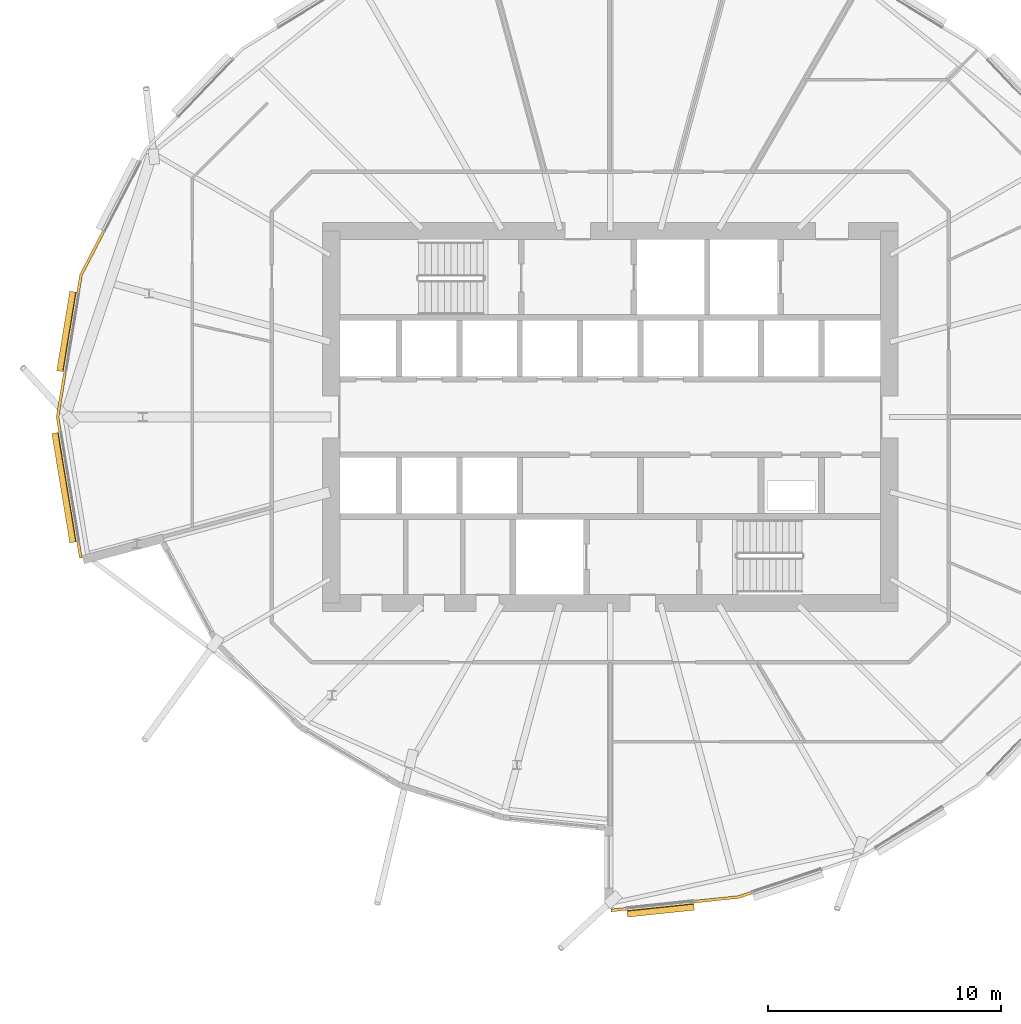
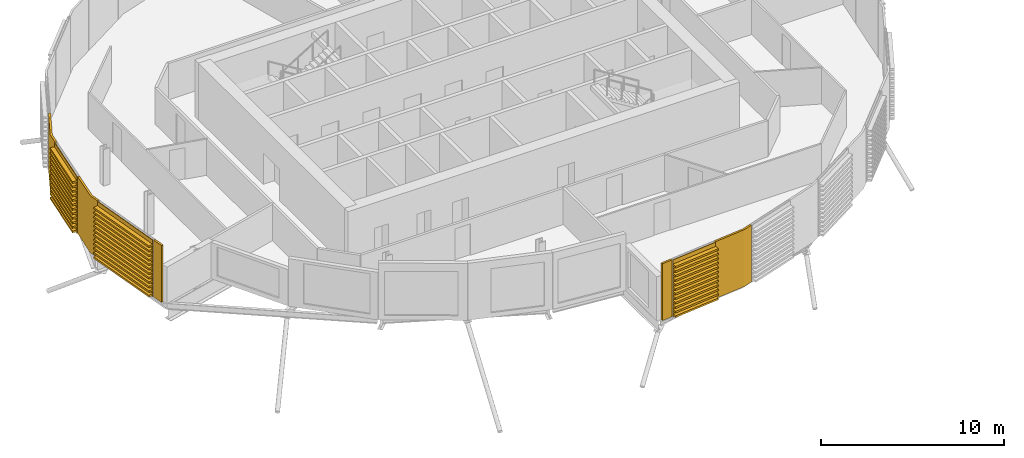
# One storey, part 36 of 42: 8 coverings.
"""IFC4 building model written with IfcOpenShell, lengths in metres."""

from ifc_helpers import new_model, si_unit, direction, frame, origin, place, context, subcontext, project, spatial, polyline, outline, extrude, material, layer, layer_set, material_profile, profile_set, type_object, element, save


model = new_model("IFC4")

# Units and contexts
model_context = context("Model", 3, precision=1e-05, world=origin(), true_north=direction((0.0, 1.0)))
body_context = subcontext(model_context, "Body", "Model", "MODEL_VIEW")
ifc_project = project(units=[si_unit("LENGTHUNIT", "METRE"), si_unit("AREAUNIT", "SQUARE_METRE"), si_unit("VOLUMEUNIT", "CUBIC_METRE"), si_unit("PLANEANGLEUNIT", "RADIAN"), si_unit("MASSUNIT", "GRAM", prefix="KILO")], contexts=[model_context])

# Site, building, storey
site_placement = place(None, origin())
site = spatial("IfcSite", under=ifc_project, at=site_placement, CompositionType="ELEMENT")
building_placement = place(site_placement, origin())
building = spatial("IfcBuilding", under=site, at=building_placement, Name="Rimbun Link Towers", CompositionType="ELEMENT")
storey_placement = place(building_placement, frame((0.0, 0.0, 85.39990234375)))
storey = spatial("IfcBuildingStorey", under=building, at=storey_placement, Name="L20", CompositionType="ELEMENT", Elevation=85.39990234375)

# Coverings
ifc_material_1 = material(Name="Terracotta", Category="masonry")
ifc_layer = layer(ifc_material_1, 0.1201171875)
ifc_layer_set = layer_set([ifc_layer], Name="LINK PIER terracotta cladding 120")
covering_type_1 = type_object("IfcCoveringType", Name="LINK PIER terracotta cladding 120", PredefinedType="CLADDING", material=ifc_layer_set)
covering_1_placement = place(storey_placement, origin())
element("IfcCovering", 1, at=covering_1_placement, inside=storey, type_object=covering_type_1, Name="LINK PIER cladding", PredefinedType="CLADDING", context=body_context, shape_type="SweptSolid", body=[
    extrude(outline(polyline([(-54.572265625, 5.37353515625), (-54.45556640625, 6.083984375), (-53.504150390625, 7.92236328125), (-53.61083984375, 7.9775390625), (-54.57080078125, 6.1220703125), (-54.690673828125, 5.392822265625), (-54.572265625, 5.37353515625)])), origin(), (0.0, 0.0, 1.0), 3.800048828125),
])
covering_2_placement = place(storey_placement, origin())
element("IfcCovering", 2, at=covering_2_placement, inside=storey, type_object=covering_type_1, Name="LINK PIER cladding", PredefinedType="CLADDING", context=body_context, shape_type="SweptSolid", body=[
    extrude(outline(polyline([(-54.46044921875, -6.05419921875), (-54.572265625, -5.37353515625), (-54.690673828125, -5.392822265625), (-54.578857421875, -6.07373046875), (-54.46044921875, -6.05419921875)])), origin(), (0.0, 0.0, 1.0), 3.800048828125),
])
covering_3_placement = place(storey_placement, origin())
element("IfcCovering", 3, at=covering_3_placement, inside=storey, type_object=covering_type_1, Name="LINK PIER cladding", PredefinedType="CLADDING", context=body_context, shape_type="SweptSolid", body=[
    extrude(outline(polyline([(-55.355224609375, -0.61181640625), (-55.455810546875, 0.0), (-55.144287109375, 1.89453125), (-55.2626953125, 1.9140625), (-55.577392578125, 0.0), (-55.4736328125, -0.63134765625), (-55.355224609375, -0.61181640625)])), origin(), (0.0, 0.0, 1.0), 3.800048828125),
])
covering_4_placement = place(storey_placement, origin())
element("IfcCovering", 4, at=covering_4_placement, inside=storey, type_object=covering_type_1, Name="LINK PIER cladding", PredefinedType="CLADDING", context=body_context, shape_type="SweptSolid", body=[
    extrude(outline(polyline([(-31.083740234375, -21.095947265625), (-31.72021484375, -21.162841796875), (-31.70751953125, -21.2822265625), (-31.071044921875, -21.215087890625), (-31.083740234375, -21.095947265625)])), origin(), (0.0, 0.0, 1.0), 3.800048828125),
])
covering_5_placement = place(storey_placement, origin())
element("IfcCovering", 5, at=covering_5_placement, inside=storey, type_object=covering_type_1, Name="LINK PIER cladding", PredefinedType="CLADDING", context=body_context, shape_type="SweptSolid", body=[
    extrude(outline(polyline([(-25.693115234375, -20.40576171875), (-26.234130859375, -20.585205078125), (-28.1435546875, -20.7861328125), (-28.131103515625, -20.905517578125), (-26.208740234375, -20.703125), (-25.6552734375, -20.519775390625), (-25.693115234375, -20.40576171875)])), origin(), (0.0, 0.0, 1.0), 3.800048828125),
])
ifc_material_2 = material(Name="Terracotta", Category="masonry")
ifc_material_profile = material_profile(ifc_material_2, outline(polyline([(0.123046875, 0.0), (0.1630859375, 0.0), (0.1630859375, 0.10009765625), (0.423095703125, 0.10009765625), (0.423095703125, 0.219970703125), (0.1630859375, 0.219970703125), (0.1630859375, 0.39990234375), (0.423095703125, 0.39990234375), (0.423095703125, 0.52001953125), (0.1630859375, 0.52001953125), (0.1630859375, 0.699951171875), (0.423095703125, 0.699951171875), (0.423095703125, 0.820068359375), (0.1630859375, 0.820068359375), (0.1630859375, 1.0), (0.423095703125, 1.0), (0.423095703125, 1.1201171875), (0.1630859375, 1.1201171875), (0.1630859375, 1.300048828125), (0.423095703125, 1.300048828125), (0.423095703125, 1.419921875), (0.1630859375, 1.419921875), (0.1630859375, 1.60009765625), (0.423095703125, 1.60009765625), (0.423095703125, 1.719970703125), (0.1630859375, 1.719970703125), (0.1630859375, 1.89990234375), (0.423095703125, 1.89990234375), (0.423095703125, 2.02001953125), (0.1630859375, 2.02001953125), (0.1630859375, 2.199951171875), (0.423095703125, 2.199951171875), (0.423095703125, 2.320068359375), (0.1630859375, 2.320068359375), (0.1630859375, 2.5), (0.423095703125, 2.5), (0.423095703125, 2.6201171875), (0.1630859375, 2.6201171875), (0.1630859375, 2.800048828125), (0.423095703125, 2.800048828125), (0.423095703125, 2.919921875), (0.1630859375, 2.919921875), (0.1630859375, 3.10009765625), (0.423095703125, 3.10009765625), (0.423095703125, 3.219970703125), (0.1630859375, 3.219970703125), (0.1630859375, 3.39990234375), (0.423095703125, 3.39990234375), (0.423095703125, 3.52001953125), (0.1630859375, 3.52001953125), (0.1630859375, 3.800048828125), (0.123046875, 3.800048828125), (0.123046875, 0.0)])), Name="BAGUETTE 120X300")
ifc_profile_set = profile_set([ifc_material_profile], Name="Terracotta")
covering_type_2 = type_object("IfcCoveringType", Name="TERRACOTTA BAGUETTE 120X300 H3800", PredefinedType="CLADDING", material=ifc_profile_set)
covering_6_placement = place(storey_placement, frame((-55.139404296875, 1.924072265625, 0.0), z_axis=(0.162239487498, 0.986751411804, 0.0), x_axis=(-0.986751411804, 0.162239487498, 0.0)))
element("IfcCovering", 6, at=covering_6_placement, inside=storey, type_object=covering_type_2, Name="TERRACOTTA BAGUETTE", PredefinedType="CLADDING", context=body_context, shape_type="SweptSolid", body=[
    extrude(outline(polyline([(0.123046875, 0.0), (0.1630859375, 0.0), (0.1630859375, 0.10009765625), (0.423095703125, 0.10009765625), (0.423095703125, 0.219970703125), (0.1630859375, 0.219970703125), (0.1630859375, 0.39990234375), (0.423095703125, 0.39990234375), (0.423095703125, 0.52001953125), (0.1630859375, 0.52001953125), (0.1630859375, 0.699951171875), (0.423095703125, 0.699951171875), (0.423095703125, 0.820068359375), (0.1630859375, 0.820068359375), (0.1630859375, 1.0), (0.423095703125, 1.0), (0.423095703125, 1.1201171875), (0.1630859375, 1.1201171875), (0.1630859375, 1.300048828125), (0.423095703125, 1.300048828125), (0.423095703125, 1.419921875), (0.1630859375, 1.419921875), (0.1630859375, 1.60009765625), (0.423095703125, 1.60009765625), (0.423095703125, 1.719970703125), (0.1630859375, 1.719970703125), (0.1630859375, 1.89990234375), (0.423095703125, 1.89990234375), (0.423095703125, 2.02001953125), (0.1630859375, 2.02001953125), (0.1630859375, 2.199951171875), (0.423095703125, 2.199951171875), (0.423095703125, 2.320068359375), (0.1630859375, 2.320068359375), (0.1630859375, 2.5), (0.423095703125, 2.5), (0.423095703125, 2.6201171875), (0.1630859375, 2.6201171875), (0.1630859375, 2.800048828125), (0.423095703125, 2.800048828125), (0.423095703125, 2.919921875), (0.1630859375, 2.919921875), (0.1630859375, 3.10009765625), (0.423095703125, 3.10009765625), (0.423095703125, 3.219970703125), (0.1630859375, 3.219970703125), (0.1630859375, 3.39990234375), (0.423095703125, 3.39990234375), (0.423095703125, 3.52001953125), (0.1630859375, 3.52001953125), (0.1630859375, 3.800048828125), (0.123046875, 3.800048828125), (0.123046875, 0.0)])), origin(), (0.0, 0.0, 1.0), 3.465576171875),
])
covering_7_placement = place(storey_placement, frame((-54.5771484375, -5.34375, 0.0), z_axis=(-0.162246916198, 0.986750190364, 0.0), x_axis=(-0.986750190364, -0.162246916198, 0.0)))
element("IfcCovering", 7, at=covering_7_placement, inside=storey, type_object=covering_type_2, Name="TERRACOTTA BAGUETTE", PredefinedType="CLADDING", context=body_context, shape_type="SweptSolid", body=[
    extrude(outline(polyline([(0.123046875, 0.0), (0.1630859375, 0.0), (0.1630859375, 0.10009765625), (0.423095703125, 0.10009765625), (0.423095703125, 0.219970703125), (0.1630859375, 0.219970703125), (0.1630859375, 0.39990234375), (0.423095703125, 0.39990234375), (0.423095703125, 0.52001953125), (0.1630859375, 0.52001953125), (0.1630859375, 0.699951171875), (0.423095703125, 0.699951171875), (0.423095703125, 0.820068359375), (0.1630859375, 0.820068359375), (0.1630859375, 1.0), (0.423095703125, 1.0), (0.423095703125, 1.1201171875), (0.1630859375, 1.1201171875), (0.1630859375, 1.300048828125), (0.423095703125, 1.300048828125), (0.423095703125, 1.419921875), (0.1630859375, 1.419921875), (0.1630859375, 1.60009765625), (0.423095703125, 1.60009765625), (0.423095703125, 1.719970703125), (0.1630859375, 1.719970703125), (0.1630859375, 1.89990234375), (0.423095703125, 1.89990234375), (0.423095703125, 2.02001953125), (0.1630859375, 2.02001953125), (0.1630859375, 2.199951171875), (0.423095703125, 2.199951171875), (0.423095703125, 2.320068359375), (0.1630859375, 2.320068359375), (0.1630859375, 2.5), (0.423095703125, 2.5), (0.423095703125, 2.6201171875), (0.1630859375, 2.6201171875), (0.1630859375, 2.800048828125), (0.423095703125, 2.800048828125), (0.423095703125, 2.919921875), (0.1630859375, 2.919921875), (0.1630859375, 3.10009765625), (0.423095703125, 3.10009765625), (0.423095703125, 3.219970703125), (0.1630859375, 3.219970703125), (0.1630859375, 3.39990234375), (0.423095703125, 3.39990234375), (0.423095703125, 3.52001953125), (0.1630859375, 3.52001953125), (0.1630859375, 3.800048828125), (0.123046875, 3.800048828125), (0.123046875, 0.0)])), origin(), (0.0, 0.0, 1.0), 4.765625),
])
covering_8_placement = place(storey_placement, frame((-28.173583984375, -20.789306640625, 0.0), z_axis=(-0.994495749116, -0.104776929662, 0.0), x_axis=(0.104776929662, -0.994495749116, 0.0)))
element("IfcCovering", 8, at=covering_8_placement, inside=storey, type_object=covering_type_2, Name="TERRACOTTA BAGUETTE", PredefinedType="CLADDING", context=body_context, shape_type="SweptSolid", body=[
    extrude(outline(polyline([(0.123046875, 0.0), (0.1630859375, 0.0), (0.1630859375, 0.10009765625), (0.423095703125, 0.10009765625), (0.423095703125, 0.219970703125), (0.1630859375, 0.219970703125), (0.1630859375, 0.39990234375), (0.423095703125, 0.39990234375), (0.423095703125, 0.52001953125), (0.1630859375, 0.52001953125), (0.1630859375, 0.699951171875), (0.423095703125, 0.699951171875), (0.423095703125, 0.820068359375), (0.1630859375, 0.820068359375), (0.1630859375, 1.0), (0.423095703125, 1.0), (0.423095703125, 1.1201171875), (0.1630859375, 1.1201171875), (0.1630859375, 1.300048828125), (0.423095703125, 1.300048828125), (0.423095703125, 1.419921875), (0.1630859375, 1.419921875), (0.1630859375, 1.60009765625), (0.423095703125, 1.60009765625), (0.423095703125, 1.719970703125), (0.1630859375, 1.719970703125), (0.1630859375, 1.89990234375), (0.423095703125, 1.89990234375), (0.423095703125, 2.02001953125), (0.1630859375, 2.02001953125), (0.1630859375, 2.199951171875), (0.423095703125, 2.199951171875), (0.423095703125, 2.320068359375), (0.1630859375, 2.320068359375), (0.1630859375, 2.5), (0.423095703125, 2.5), (0.423095703125, 2.6201171875), (0.1630859375, 2.6201171875), (0.1630859375, 2.800048828125), (0.423095703125, 2.800048828125), (0.423095703125, 2.919921875), (0.1630859375, 2.919921875), (0.1630859375, 3.10009765625), (0.423095703125, 3.10009765625), (0.423095703125, 3.219970703125), (0.1630859375, 3.219970703125), (0.1630859375, 3.39990234375), (0.423095703125, 3.39990234375), (0.423095703125, 3.52001953125), (0.1630859375, 3.52001953125), (0.1630859375, 3.800048828125), (0.123046875, 3.800048828125), (0.123046875, 0.0)])), origin(), (0.0, 0.0, 1.0), 2.896240234375),
])

save(model, "model.ifc")
